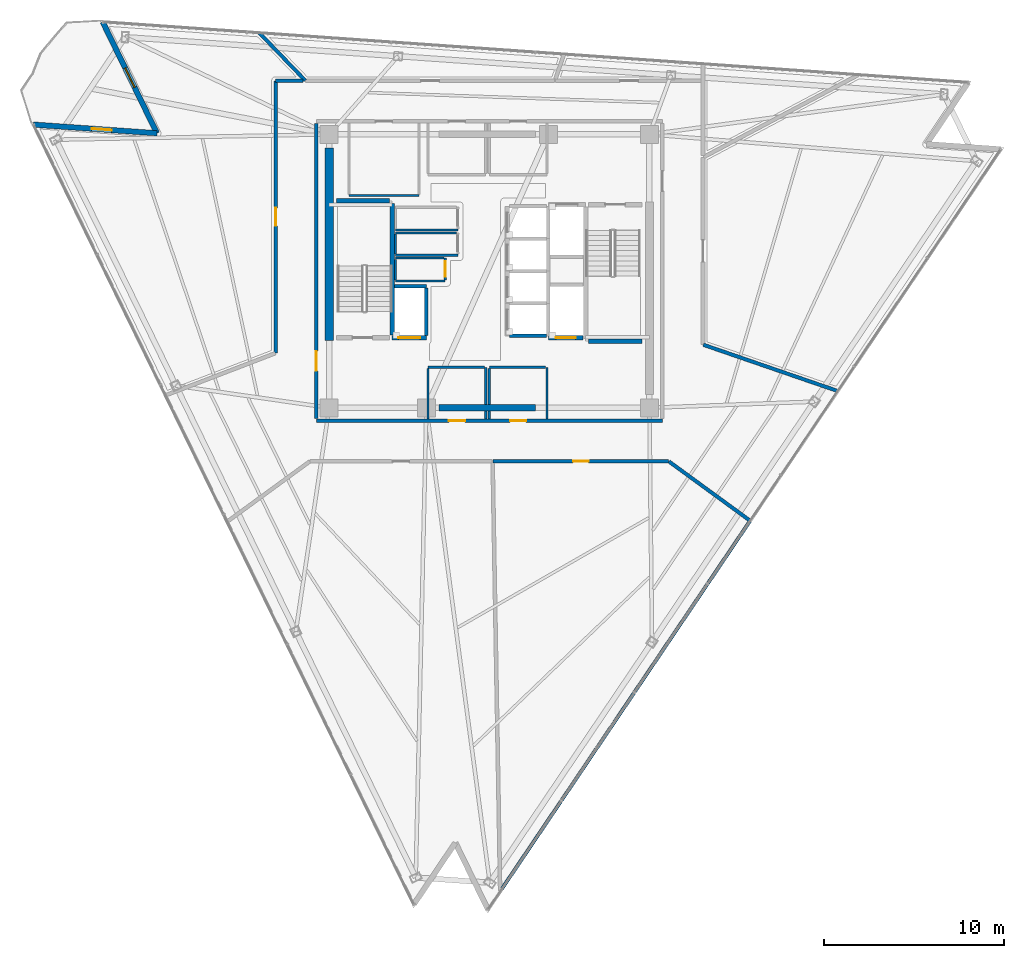
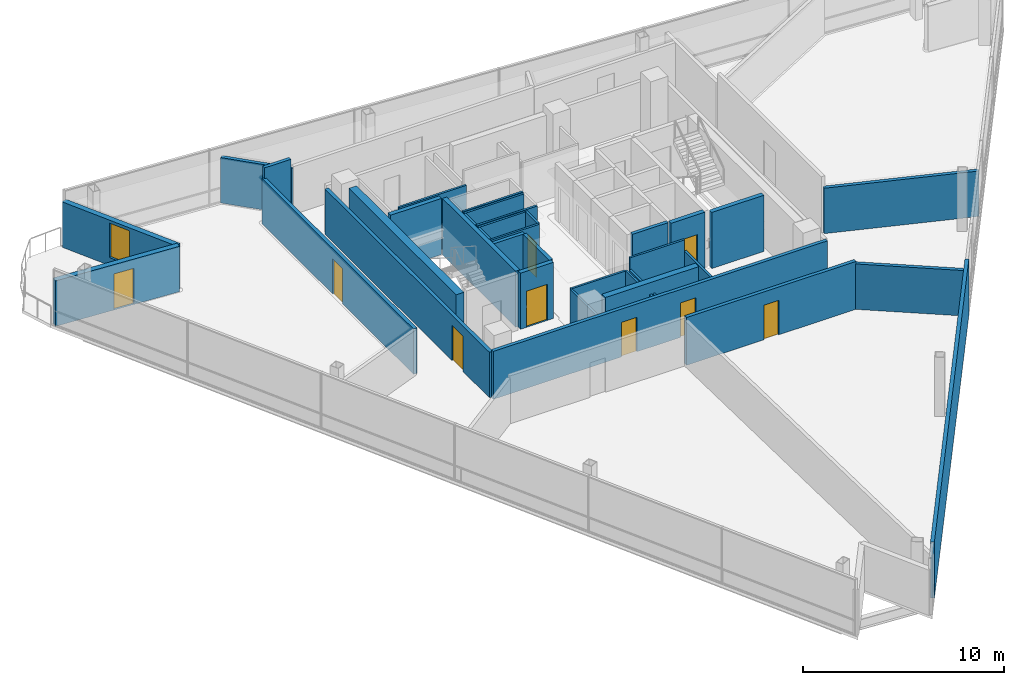
# One storey, part 9 of 14: 38 walls, 9 doors, 1 window, 10 openings.
"""IFC4 building model written with IfcOpenShell, lengths in metres."""

from ifc_helpers import new_model, si_unit, direction, frame, frame_2d, origin, place, context, subcontext, project, spatial, rectangle, extrude, material, layer, layer_set, type_object, element, fill, save


model = new_model("IFC4")

# Units and contexts
model_context = context("Model", 3, precision=1e-05, world=origin(), true_north=direction((0.0, 1.0)))
body_context = subcontext(model_context, "Body", "Model", "MODEL_VIEW")
ifc_project = project(units=[si_unit("LENGTHUNIT", "METRE"), si_unit("AREAUNIT", "SQUARE_METRE"), si_unit("VOLUMEUNIT", "CUBIC_METRE"), si_unit("PLANEANGLEUNIT", "RADIAN"), si_unit("MASSUNIT", "GRAM", prefix="KILO")], contexts=[model_context])

# Site, building, storey
site_placement = place(None, origin())
site = spatial("IfcSite", under=ifc_project, at=site_placement, CompositionType="ELEMENT")
building_placement = place(site_placement, origin())
building = spatial("IfcBuilding", under=site, at=building_placement, Name="Tharavind Bronze Gate", CompositionType="ELEMENT")
storey_placement = place(building_placement, frame((0.0, 0.0, 241.449951171875)))
storey = spatial("IfcBuildingStorey", under=building, at=storey_placement, Name="L62", CompositionType="ELEMENT", Elevation=241.449951171875)

# Wall, opening, window
ifc_material_1 = material(Name="Concrete C40/50", Category="concrete")
ifc_layer_1 = layer(ifc_material_1, 0.300048828125)
ifc_layer_set_1 = layer_set([ifc_layer_1], Name="Concrete C40/50")
wall_type_1 = type_object("IfcWallType", Name="EXTERIOR SPANDREL WALL 300", PredefinedType="STANDARD", material=ifc_layer_set_1)
wall_1_placement = place(storey_placement, frame((-21.489990234375, 13.844482421875, 0.0), z_axis=(0.0, 0.0, 1.0), x_axis=(0.438391471143, -0.898784133165, 0.0)))
wall_1 = element("IfcWall", 1, at=wall_1_placement, inside=storey, type_object=wall_type_1, Name="L62 notch cheek wall 1A", PredefinedType="STANDARD", context=body_context, shape_type="SweptSolid", body=[
    extrude(rectangle(XDim=6.8798828125, YDim=0.300048828125, at=frame_2d((3.43994140625, 0.0))), origin(), (0.0, 0.0, 1.0), 2.76513671875),
])
opening_1_placement = place(wall_1_placement, frame((2.840087890625, 0.0, 0.485107421875)))
opening_1 = element("IfcOpeningElement", 2, at=opening_1_placement, cuts=wall_1, Name="Opening W01", PredefinedType="OPENING", context=body_context, shape_type="SweptSolid", body=[
    extrude(rectangle(XDim=1.199951171875, YDim=2.10009765625, at=frame_2d((0.60009765625, 1.050048828125))), frame((0.0, 0.15990234375, 0.0), z_axis=(0.0, -1.0, 0.0), x_axis=(1.0, 0.0, 0.0)), (0.0, 0.0, 1.0), 0.320048828125),
])
ifc_material_2 = material(Name="Bronze Aluminium & Low-E Glass", Category="aluminium")
window_type = type_object("IfcWindowType", Name="FIXED BRONZE CASEMENT WINDOW 1200X2100", PartitioningType="SINGLE_PANEL", PredefinedType="WINDOW", material=ifc_material_2)
window_placement = place(opening_1_placement, origin())
window = element("IfcWindow", 3, at=window_placement, inside=storey, type_object=window_type, Name="L62 exterior window WL-L62-NCB1-01", OverallHeight=2.10009765625, OverallWidth=1.199951171875, PartitioningType="SINGLE_PANEL", PredefinedType="WINDOW", context=body_context, shape_type="SweptSolid", body=[
    extrude(rectangle(XDim=1.199951171875, YDim=2.10009765625, at=frame_2d((0.60009765625, 1.050048828125))), frame((0.0, 0.030029296875, 0.0), z_axis=(0.0, -1.0, 0.0), x_axis=(1.0, 0.0, 0.0)), (0.0, 0.0, 1.0), 0.06005859375),
])
fill(opening_1, window)

# Wall, opening, door
wall_2_placement = place(storey_placement, frame((-18.473876953125, 7.660888671875, 0.0), z_axis=(0.0, 0.0, 1.0), x_axis=(-0.997565982203, 0.069728840176, 0.0)))
wall_2 = element("IfcWall", 4, at=wall_2_placement, inside=storey, type_object=wall_type_1, Name="L62 notch cheek wall 1B", PredefinedType="STANDARD", context=body_context, shape_type="SweptSolid", body=[
    extrude(rectangle(XDim=6.880126953125, YDim=0.300048828125, at=frame_2d((3.43994140625, 0.0))), origin(), (0.0, 0.0, 1.0), 2.76513671875),
])
opening_2_placement = place(wall_2_placement, frame((2.531982421875, 0.0, 0.0)))
opening_2 = element("IfcOpeningElement", 5, at=opening_2_placement, cuts=wall_2, Name="Opening ED04", PredefinedType="OPENING", context=body_context, shape_type="SweptSolid", body=[
    extrude(rectangle(XDim=1.10009765625, YDim=2.199951171875, at=frame_2d((0.550048828125, 1.10009765625))), frame((0.0, 0.15990234375, 0.0), z_axis=(0.0, -1.0, 0.0), x_axis=(1.0, 0.0, 0.0)), (0.0, 0.0, 1.0), 0.320048828125),
])
ifc_material_3 = material(Name="Bronze Aluminium & Toughened Glass", Category="aluminium")
door_type_1 = type_object("IfcDoorType", Name="TREE BALCONY ACCESS DOOR 1100X2200", OperationType="SINGLE_SWING_LEFT", PredefinedType="DOOR", material=ifc_material_3)
door_1_placement = place(opening_2_placement, origin())
door_1 = element("IfcDoor", 6, at=door_1_placement, inside=storey, type_object=door_type_1, Name="L62 tree balcony access door", OperationType="SINGLE_SWING_LEFT", OverallHeight=2.199951171875, OverallWidth=1.10009765625, PredefinedType="DOOR", context=body_context, shape_type="SweptSolid", body=[
    extrude(rectangle(XDim=1.10009765625, YDim=2.199951171875, at=frame_2d((0.550048828125, 1.10009765625))), frame((0.0, 0.02490234375, 0.0), z_axis=(0.0, -1.0, 0.0), x_axis=(1.0, 0.0, 0.0)), (0.0, 0.0, 1.0), 0.050048828125),
])
fill(opening_2, door_1)

# Wall, openings, doors
ifc_material_4 = material(Name="Aerated Concrete Block", Category="concrete")
ifc_layer_2 = layer(ifc_material_4, 0.199951171875)
ifc_layer_set_2 = layer_set([ifc_layer_2], Name="Aerated Concrete Block")
wall_type_2 = type_object("IfcWallType", Name="FIRE RATED PARTITION 200", PredefinedType="PARTITIONING", material=ifc_layer_set_2)
wall_3_placement = place(storey_placement, frame((-9.6201171875, -8.320068359375, 0.0), z_axis=(0.0, 0.0, 1.0), x_axis=(1.0, 0.0, 0.0)))
wall_3 = element("IfcWall", 7, at=wall_3_placement, inside=storey, type_object=wall_type_2, Name="L62 south core corridor wall", PredefinedType="PARTITIONING", context=body_context, shape_type="SweptSolid", body=[
    extrude(rectangle(XDim=19.240234375, YDim=0.199951171875, at=frame_2d((9.6201171875, 0.0))), origin(), (0.0, 0.0, 1.0), 2.9150390625),
])
opening_3_placement = place(wall_3_placement, frame((7.3701171875, 0.0, 0.0)))
opening_3 = element("IfcOpeningElement", 8, at=opening_3_placement, cuts=wall_3, Name="Opening ID07", PredefinedType="OPENING", context=body_context, shape_type="SweptSolid", body=[
    extrude(rectangle(XDim=0.89990234375, YDim=2.10009765625, at=frame_2d((0.449951171875, 1.050048828125))), frame((0.0, 0.11009765625, 0.0), z_axis=(0.0, -1.0, 0.0), x_axis=(1.0, 0.0, 0.0)), (0.0, 0.0, 1.0), 0.219951171875),
])
opening_4_placement = place(wall_3_placement, frame((10.77001953125, 0.0, 0.0)))
opening_4 = element("IfcOpeningElement", 9, at=opening_4_placement, cuts=wall_3, Name="Opening ID07", PredefinedType="OPENING", context=body_context, shape_type="SweptSolid", body=[
    extrude(rectangle(XDim=0.89990234375, YDim=2.10009765625, at=frame_2d((0.449951171875, 1.050048828125))), frame((0.0, 0.11009765625, 0.0), z_axis=(0.0, -1.0, 0.0), x_axis=(1.0, 0.0, 0.0)), (0.0, 0.0, 1.0), 0.219951171875),
])
ifc_material_5 = material(Name="Galvanised Fire Steel", Category="steel")
door_type_2 = type_object("IfcDoorType", Name="PLANT AND RISER FIRE DOOR 900X2100", OperationType="SINGLE_SWING_LEFT", PredefinedType="DOOR", material=ifc_material_5)
door_2_placement = place(opening_3_placement, frame((0.89990234375, 0.0, 0.0), z_axis=(0.0, 0.0, 1.0), x_axis=(-1.0, 0.0, 0.0)))
door_2 = element("IfcDoor", 10, at=door_2_placement, inside=storey, type_object=door_type_2, Name="L62 Core Archive Store fire door", OperationType="SINGLE_SWING_LEFT", OverallHeight=2.10009765625, OverallWidth=0.89990234375, PredefinedType="DOOR", context=body_context, shape_type="SweptSolid", body=[
    extrude(rectangle(XDim=0.89990234375, YDim=2.10009765625, at=frame_2d((0.449951171875, 1.050048828125))), frame((0.0, 0.02490234375, 0.0), z_axis=(0.0, -1.0, 0.0), x_axis=(1.0, 0.0, 0.0)), (0.0, 0.0, 1.0), 0.050048828125),
])
fill(opening_3, door_2)
door_3_placement = place(opening_4_placement, frame((0.89990234375, 0.0, 0.0), z_axis=(0.0, 0.0, 1.0), x_axis=(-1.0, 0.0, 0.0)))
door_3 = element("IfcDoor", 11, at=door_3_placement, inside=storey, type_object=door_type_2, Name="L62 Core Server Room fire door", OperationType="SINGLE_SWING_LEFT", OverallHeight=2.10009765625, OverallWidth=0.89990234375, PredefinedType="DOOR", context=body_context, shape_type="SweptSolid", body=[
    extrude(rectangle(XDim=0.89990234375, YDim=2.10009765625, at=frame_2d((0.449951171875, 1.050048828125))), frame((0.0, 0.02490234375, 0.0), z_axis=(0.0, -1.0, 0.0), x_axis=(1.0, 0.0, 0.0)), (0.0, 0.0, 1.0), 0.050048828125),
])
fill(opening_4, door_3)

# Wall, opening, door
wall_4_placement = place(storey_placement, frame((-9.6201171875, 8.199951171875, 0.0), z_axis=(0.0, 0.0, 1.0), x_axis=(0.0, -1.0, 0.0)))
wall_4 = element("IfcWall", 12, at=wall_4_placement, inside=storey, type_object=wall_type_2, Name="L62 west core corridor wall", PredefinedType="PARTITIONING", context=body_context, shape_type="SweptSolid", body=[
    extrude(rectangle(XDim=16.39990234375, YDim=0.199951171875, at=frame_2d((8.199951171875, 0.0))), origin(), (0.0, 0.0, 1.0), 2.76513671875),
])
opening_5_placement = place(wall_4_placement, frame((12.64990234375, 0.0, 0.0)))
opening_5 = element("IfcOpeningElement", 13, at=opening_5_placement, cuts=wall_4, Name="Opening ID01", PredefinedType="OPENING", context=body_context, shape_type="SweptSolid", body=[
    extrude(rectangle(XDim=1.10009765625, YDim=2.14990234375, at=frame_2d((0.550048828125, 1.074951171875))), frame((0.0, 0.11009765625, 0.0), z_axis=(0.0, -1.0, 0.0), x_axis=(1.0, 0.0, 0.0)), (0.0, 0.0, 1.0), 0.219951171875),
])
ifc_material_6 = material(Name="Fire-Rated Steel", Category="steel")
door_type_3 = type_object("IfcDoorType", Name="STAIR CORE FIRE DOOR 1100X2150", OperationType="SINGLE_SWING_LEFT", PredefinedType="DOOR", material=ifc_material_6)
door_4_placement = place(opening_5_placement, frame((1.10009765625, 0.0, 0.0), z_axis=(0.0, 0.0, 1.0), x_axis=(-1.0, 0.0, 0.0)))
door_4 = element("IfcDoor", 14, at=door_4_placement, inside=storey, type_object=door_type_3, Name="L62 south west stair lobby fire door", OperationType="SINGLE_SWING_LEFT", OverallHeight=2.14990234375, OverallWidth=1.10009765625, PredefinedType="DOOR", context=body_context, shape_type="SweptSolid", body=[
    extrude(rectangle(XDim=1.10009765625, YDim=2.14990234375, at=frame_2d((0.550048828125, 1.074951171875))), frame((0.0, 0.02490234375, 0.0), z_axis=(0.0, -1.0, 0.0), x_axis=(1.0, 0.0, 0.0)), (0.0, 0.0, 1.0), 0.050048828125),
])
fill(opening_5, door_4)

wall_5_placement = place(storey_placement, frame((0.210205078125, -10.580078125, 0.0), z_axis=(0.0, 0.0, 1.0), x_axis=(1.0, 0.0, 0.0)))
wall_5 = element("IfcWall", 15, at=wall_5_placement, inside=storey, type_object=wall_type_2, Name="L62 Public Restrooms Block partition", PredefinedType="PARTITIONING", context=body_context, shape_type="SweptSolid", body=[
    extrude(rectangle(XDim=9.759765625, YDim=0.199951171875, at=frame_2d((4.8798828125, 0.0))), origin(), (0.0, 0.0, 1.0), 2.9150390625),
])
opening_6_placement = place(wall_5_placement, frame((4.455078125, 0.0, 0.0)))
opening_6 = element("IfcOpeningElement", 16, at=opening_6_placement, cuts=wall_5, Name="Opening ID06", PredefinedType="OPENING", context=body_context, shape_type="SweptSolid", body=[
    extrude(rectangle(XDim=0.85009765625, YDim=2.10009765625, at=frame_2d((0.425048828125, 1.050048828125))), frame((0.0, 0.11009765625, 0.0), z_axis=(0.0, -1.0, 0.0), x_axis=(1.0, 0.0, 0.0)), (0.0, 0.0, 1.0), 0.219951171875),
])
ifc_material_7 = material(Name="Moisture-Resistant Timber", Category="wood")
door_type_4 = type_object("IfcDoorType", Name="BATHROOM PRIVACY DOOR 850X2100", OperationType="SINGLE_SWING_RIGHT", PredefinedType="DOOR", material=ifc_material_7)
door_5_placement = place(opening_6_placement, origin())
door_5 = element("IfcDoor", 17, at=door_5_placement, inside=storey, type_object=door_type_4, Name="L62 Public Restrooms Block door", OperationType="SINGLE_SWING_RIGHT", OverallHeight=2.10009765625, OverallWidth=0.85009765625, PredefinedType="DOOR", context=body_context, shape_type="SweptSolid", body=[
    extrude(rectangle(XDim=0.85009765625, YDim=2.10009765625, at=frame_2d((0.425048828125, 1.050048828125))), frame((0.0, 0.02490234375, 0.0), z_axis=(0.0, -1.0, 0.0), x_axis=(1.0, 0.0, 0.0)), (0.0, 0.0, 1.0), 0.050048828125),
])
fill(opening_6, door_5)

# Walls
wall_6_placement = place(storey_placement, frame((9.98486328125, -10.584716796875, 0.0), z_axis=(0.0, 0.0, 1.0), x_axis=(0.807826909807, -0.589419785714, 0.0)))
element("IfcWall", 18, at=wall_6_placement, inside=storey, type_object=wall_type_2, Name="L62 Public Restrooms Block partition", PredefinedType="PARTITIONING", context=body_context, shape_type="SweptSolid", body=[
    extrude(rectangle(XDim=5.59130859375, YDim=0.199951171875, at=frame_2d((2.795654296875, 0.0))), origin(), (0.0, 0.0, 1.0), 2.76513671875),
])
wall_7_placement = place(storey_placement, frame((14.4912109375, -13.8955078125, 0.0), z_axis=(0.0, 0.0, 1.0), x_axis=(-0.559191528364, -0.829038500074, 0.0)))
element("IfcWall", 19, at=wall_7_placement, inside=storey, type_object=wall_type_2, Name="L62 Public Restrooms Block partition", PredefinedType="PARTITIONING", context=body_context, shape_type="SweptSolid", body=[
    extrude(rectangle(XDim=24.655029296875, YDim=0.199951171875, at=frame_2d((12.32763671875, 0.0))), origin(), (0.0, 0.0, 1.0), 3.420166015625),
])
wall_8_placement = place(storey_placement, frame((-10.224365234375, 10.587646484375, 0.0), z_axis=(0.0, 0.0, 1.0), x_axis=(-0.694663159554, 0.719335175532, 0.0)))
element("IfcWall", 20, at=wall_8_placement, inside=storey, type_object=wall_type_2, Name="L62 Chambers Study A partition", PredefinedType="PARTITIONING", context=body_context, shape_type="SweptSolid", body=[
    extrude(rectangle(XDim=3.68115234375, YDim=0.199951171875, at=frame_2d((1.840576171875, 0.0))), origin(), (0.0, 0.0, 1.0), 2.76513671875),
])
wall_9_placement = place(storey_placement, frame((-10.363037109375, 10.580078125, 0.0), z_axis=(0.0, 0.0, 1.0), x_axis=(-1.0, 0.0, 0.0)))
element("IfcWall", 21, at=wall_9_placement, inside=storey, type_object=wall_type_2, Name="L62 Dispute Resolution Office partition", PredefinedType="PARTITIONING", context=body_context, shape_type="SweptSolid", body=[
    extrude(rectangle(XDim=1.516357421875, YDim=0.199951171875, at=frame_2d((0.75830078125, 0.0))), origin(), (0.0, 0.0, 1.0), 3.420166015625),
])

# Wall, opening, door
wall_10_placement = place(storey_placement, frame((-11.8798828125, 10.579345703125, 0.0), z_axis=(0.0, 0.0, 1.0), x_axis=(0.0, -1.0, 0.0)))
wall_10 = element("IfcWall", 22, at=wall_10_placement, inside=storey, type_object=wall_type_2, Name="L62 Dispute Resolution Office partition", PredefinedType="PARTITIONING", context=body_context, shape_type="SweptSolid", body=[
    extrude(rectangle(XDim=15.12255859375, YDim=0.199951171875, at=frame_2d((7.561279296875, 0.0))), origin(), (0.0, 0.0, 1.0), 2.76513671875),
])
opening_7_placement = place(wall_10_placement, frame((7.06103515625, 0.0, 0.0)))
opening_7 = element("IfcOpeningElement", 23, at=opening_7_placement, cuts=wall_10, Name="Opening ID04", PredefinedType="OPENING", context=body_context, shape_type="SweptSolid", body=[
    extrude(rectangle(XDim=1.0, YDim=2.14990234375, at=frame_2d((0.5, 1.074951171875))), frame((0.0, 0.11009765625, 0.0), z_axis=(0.0, -1.0, 0.0), x_axis=(1.0, 0.0, 0.0)), (0.0, 0.0, 1.0), 0.219951171875),
])
ifc_material_8 = material(Name="Bronze Framed Acoustic Timber", Category="wood")
door_type_5 = type_object("IfcDoorType", Name="OFFICE TENANCY DOOR 1000X2150", OperationType="SINGLE_SWING_RIGHT", PredefinedType="DOOR", material=ifc_material_8)
door_6_placement = place(opening_7_placement, origin())
door_6 = element("IfcDoor", 24, at=door_6_placement, inside=storey, type_object=door_type_5, Name="L62 Dispute Resolution Office door", OperationType="SINGLE_SWING_RIGHT", OverallHeight=2.14990234375, OverallWidth=1.0, PredefinedType="DOOR", context=body_context, shape_type="SweptSolid", body=[
    extrude(rectangle(XDim=1.0, YDim=2.14990234375, at=frame_2d((0.5, 1.074951171875))), frame((0.0, 0.02490234375, 0.0), z_axis=(0.0, -1.0, 0.0), x_axis=(1.0, 0.0, 0.0)), (0.0, 0.0, 1.0), 0.050048828125),
])
fill(opening_7, door_6)

# Walls
wall_11_placement = place(storey_placement, frame((19.347900390625, -6.662109375, 0.0), z_axis=(0.0, 0.0, 1.0), x_axis=(-0.945514135391, 0.325581049472, 0.0)))
element("IfcWall", 25, at=wall_11_placement, inside=storey, type_object=wall_type_2, Name="L62 Mediation Briefing Room partition", PredefinedType="PARTITIONING", context=body_context, shape_type="SweptSolid", body=[
    extrude(rectangle(XDim=7.88037109375, YDim=0.199951171875, at=frame_2d((3.940185546875, 0.0))), origin(), (0.0, 0.0, 1.0), 2.76513671875),
])
ifc_material_9 = material(Name="Metal Stud Gypsum Partition", Category="gypsum")
ifc_layer_3 = layer(ifc_material_9, 0.1201171875)
ifc_layer_set_3 = layer_set([ifc_layer_3], Name="Metal Stud Gypsum Partition")
wall_type_3 = type_object("IfcWallType", Name="INTERIOR PARTITION WALL 120", PredefinedType="PARTITIONING", material=ifc_layer_set_3)
for number, where, z_axis, x_axis, name in (
    (26, (-5.219970703125, 2.280029296875, 0.0), (0.0, 0.0, 1.0), (1.0, 0.0, 0.0), "L62 Housekeeping Linen Store partition 1"),
    (27, (-5.219970703125, 0.8798828125, 0.0), (0.0, 0.0, 1.0), (1.0, 0.0, 0.0), "L62 Comms Data Room partition 1"),
):
    element("IfcWall", number, at=place(storey_placement, frame(where, z_axis=z_axis, x_axis=x_axis)), inside=storey, type_object=wall_type_3, Name=name, PredefinedType="PARTITIONING", context=body_context, shape_type="SweptSolid", body=[
        extrude(rectangle(XDim=3.469970703125, YDim=0.1201171875, at=frame_2d((1.73486328125, 0.0))), origin(), (0.0, 0.0, 1.0), 3.420166015625),
    ])
wall_12_placement = place(storey_placement, frame((-1.81494140625, 2.1201171875, 0.0), z_axis=(0.0, 0.0, 1.0), x_axis=(-1.0, 0.0, 0.0)))
element("IfcWall", 28, at=wall_12_placement, inside=storey, type_object=wall_type_3, Name="L62 Comms Data Room partition 3", PredefinedType="PARTITIONING", context=body_context, shape_type="SweptSolid", body=[
    extrude(rectangle(XDim=3.405029296875, YDim=0.1201171875, at=frame_2d((1.70263671875, 0.0))), origin(), (0.0, 0.0, 1.0), 3.420166015625),
])
wall_13_placement = place(storey_placement, frame((-5.219970703125, 2.054931640625, 0.0), z_axis=(0.0, 0.0, 1.0), x_axis=(0.0, -1.0, 0.0)))
element("IfcWall", 29, at=wall_13_placement, inside=storey, type_object=wall_type_3, Name="L62 Comms Data Room partition 4", PredefinedType="PARTITIONING", context=body_context, shape_type="SweptSolid", body=[
    extrude(rectangle(XDim=1.10986328125, YDim=0.1201171875, at=frame_2d((0.554931640625, 0.0))), origin(), (0.0, 0.0, 1.0), 3.420166015625),
])
wall_14_placement = place(storey_placement, frame((-5.219970703125, -0.550048828125, 0.0), z_axis=(0.0, 0.0, 1.0), x_axis=(1.0, 0.0, 0.0)))
element("IfcWall", 30, at=wall_14_placement, inside=storey, type_object=wall_type_3, Name="L62 Electrical Metering Store partition 1", PredefinedType="PARTITIONING", context=body_context, shape_type="SweptSolid", body=[
    extrude(rectangle(XDim=2.77001953125, YDim=0.1201171875, at=frame_2d((1.385009765625, 0.0))), origin(), (0.0, 0.0, 1.0), 3.420166015625),
])

# Wall, opening, door
wall_15_placement = place(storey_placement, frame((-2.449951171875, -0.485107421875, 0.0), z_axis=(0.0, 0.0, 1.0), x_axis=(0.0, 1.0, 0.0)))
wall_15 = element("IfcWall", 31, at=wall_15_placement, inside=storey, type_object=wall_type_3, Name="L62 Electrical Metering Store partition 2", PredefinedType="PARTITIONING", context=body_context, shape_type="SweptSolid", body=[
    extrude(rectangle(XDim=1.205078125, YDim=0.1201171875, at=frame_2d((0.6025390625, 0.0))), origin(), (0.0, 0.0, 1.0), 3.420166015625),
])
opening_8_placement = place(wall_15_placement, frame((0.177978515625, 0.0, 0.0)))
opening_8 = element("IfcOpeningElement", 32, at=opening_8_placement, cuts=wall_15, Name="Opening ID06", PredefinedType="OPENING", context=body_context, shape_type="SweptSolid", body=[
    extrude(rectangle(XDim=0.85009765625, YDim=2.10009765625, at=frame_2d((0.425048828125, 1.050048828125))), frame((0.0, 0.07005859375, 0.0), z_axis=(0.0, -1.0, 0.0), x_axis=(1.0, 0.0, 0.0)), (0.0, 0.0, 1.0), 0.1401171875),
])
door_7_placement = place(opening_8_placement, frame((0.85009765625, 0.0, 0.0), z_axis=(0.0, 0.0, 1.0), x_axis=(-1.0, 0.0, 0.0)))
door_7 = element("IfcDoor", 33, at=door_7_placement, inside=storey, type_object=door_type_4, Name="L62 Electrical Metering Store door", OperationType="SINGLE_SWING_RIGHT", OverallHeight=2.10009765625, OverallWidth=0.85009765625, PredefinedType="DOOR", context=body_context, shape_type="SweptSolid", body=[
    extrude(rectangle(XDim=0.85009765625, YDim=2.10009765625, at=frame_2d((0.425048828125, 1.050048828125))), frame((0.0, 0.02490234375, 0.0), z_axis=(0.0, -1.0, 0.0), x_axis=(1.0, 0.0, 0.0)), (0.0, 0.0, 1.0), 0.050048828125),
])
fill(opening_8, door_7)

# Walls
wall_16_placement = place(storey_placement, frame((-2.514892578125, 0.719970703125, 0.0), z_axis=(0.0, 0.0, 1.0), x_axis=(-1.0, 0.0, 0.0)))
element("IfcWall", 34, at=wall_16_placement, inside=storey, type_object=wall_type_3, Name="L62 Electrical Metering Store partition 3", PredefinedType="PARTITIONING", context=body_context, shape_type="SweptSolid", body=[
    extrude(rectangle(XDim=2.705078125, YDim=0.1201171875, at=frame_2d((1.3525390625, 0.0))), origin(), (0.0, 0.0, 1.0), 3.420166015625),
])
wall_17_placement = place(storey_placement, frame((-5.219970703125, 0.655029296875, 0.0), z_axis=(0.0, 0.0, 1.0), x_axis=(0.0, -1.0, 0.0)))
element("IfcWall", 35, at=wall_17_placement, inside=storey, type_object=wall_type_3, Name="L62 Electrical Metering Store partition 4", PredefinedType="PARTITIONING", context=body_context, shape_type="SweptSolid", body=[
    extrude(rectangle(XDim=1.14013671875, YDim=0.1201171875, at=frame_2d((0.570068359375, 0.0))), origin(), (0.0, 0.0, 1.0), 3.420166015625),
])
wall_18_placement = place(storey_placement, frame((-0.199951171875, -8.215087890625, 0.0), z_axis=(0.0, 0.0, 1.0), x_axis=(0.0, 1.0, 0.0)))
element("IfcWall", 36, at=wall_18_placement, inside=storey, type_object=wall_type_3, Name="L62 Core Archive Store partition 2", PredefinedType="PARTITIONING", context=body_context, shape_type="SweptSolid", body=[
    extrude(rectangle(XDim=0.43505859375, YDim=0.1201171875, at=frame_2d((0.217529296875, 0.0))), origin(), (0.0, 0.0, 1.0), 2.715087890625),
])
wall_19_placement = place(storey_placement, frame((-0.199951171875, -7.419921875, 0.0), z_axis=(0.0, 0.0, 1.0), x_axis=(0.0, 1.0, 0.0)))
element("IfcWall", 37, at=wall_19_placement, inside=storey, type_object=wall_type_3, Name="L62 Core Archive Store partition 2", PredefinedType="PARTITIONING", context=body_context, shape_type="SweptSolid", body=[
    extrude(rectangle(XDim=2.06982421875, YDim=0.1201171875, at=frame_2d((1.034912109375, 0.0))), origin(), (0.0, 0.0, 1.0), 2.715087890625),
])
wall_20_placement = place(storey_placement, frame((-0.264892578125, -5.35009765625, 0.0), z_axis=(0.0, 0.0, 1.0), x_axis=(-1.0, 0.0, 0.0)))
element("IfcWall", 38, at=wall_20_placement, inside=storey, type_object=wall_type_3, Name="L62 Core Archive Store partition 3", PredefinedType="PARTITIONING", context=body_context, shape_type="SweptSolid", body=[
    extrude(rectangle(XDim=3.135009765625, YDim=0.1201171875, at=frame_2d((1.5673828125, 0.0))), origin(), (0.0, 0.0, 1.0), 2.715087890625),
])
wall_21_placement = place(storey_placement, frame((-3.39990234375, -5.4150390625, 0.0), z_axis=(0.0, 0.0, 1.0), x_axis=(0.0, -1.0, 0.0)))
element("IfcWall", 39, at=wall_21_placement, inside=storey, type_object=wall_type_3, Name="L62 Core Archive Store partition 4", PredefinedType="PARTITIONING", context=body_context, shape_type="SweptSolid", body=[
    extrude(rectangle(XDim=2.800048828125, YDim=0.1201171875, at=frame_2d((1.39990234375, 0.0))), origin(), (0.0, 0.0, 1.0), 2.715087890625),
])
wall_22_placement = place(storey_placement, frame((3.199951171875, -8.215087890625, 0.0), z_axis=(0.0, 0.0, 1.0), x_axis=(0.0, 1.0, 0.0)))
element("IfcWall", 40, at=wall_22_placement, inside=storey, type_object=wall_type_3, Name="L62 Core Server Room partition 2", PredefinedType="PARTITIONING", context=body_context, shape_type="SweptSolid", body=[
    extrude(rectangle(XDim=2.864990234375, YDim=0.1201171875, at=frame_2d((1.4326171875, 0.0))), origin(), (0.0, 0.0, 1.0), 2.715087890625),
])
wall_23_placement = place(storey_placement, frame((3.135009765625, -5.35009765625, 0.0), z_axis=(0.0, 0.0, 1.0), x_axis=(-1.0, 0.0, 0.0)))
element("IfcWall", 41, at=wall_23_placement, inside=storey, type_object=wall_type_3, Name="L62 Core Server Room partition 3", PredefinedType="PARTITIONING", context=body_context, shape_type="SweptSolid", body=[
    extrude(rectangle(XDim=3.135009765625, YDim=0.1201171875, at=frame_2d((1.5673828125, 0.0))), origin(), (0.0, 0.0, 1.0), 3.420166015625),
])
wall_24_placement = place(storey_placement, frame((0.0, -5.4150390625, 0.0), z_axis=(0.0, 0.0, 1.0), x_axis=(0.0, -1.0, 0.0)))
element("IfcWall", 42, at=wall_24_placement, inside=storey, type_object=wall_type_3, Name="L62 Core Server Room partition 4", PredefinedType="PARTITIONING", context=body_context, shape_type="SweptSolid", body=[
    extrude(rectangle(XDim=2.0048828125, YDim=0.1201171875, at=frame_2d((1.00244140625, 0.0))), origin(), (0.0, 0.0, 1.0), 2.715087890625),
])
wall_25_placement = place(storey_placement, frame((0.0, -7.780029296875, 0.0), z_axis=(0.0, 0.0, 1.0), x_axis=(0.0, -1.0, 0.0)))
element("IfcWall", 43, at=wall_25_placement, inside=storey, type_object=wall_type_3, Name="L62 Core Server Room partition 4", PredefinedType="PARTITIONING", context=body_context, shape_type="SweptSolid", body=[
    extrude(rectangle(XDim=0.43505859375, YDim=0.1201171875, at=frame_2d((0.217529296875, 0.0))), origin(), (0.0, 0.0, 1.0), 2.715087890625),
])
wall_26_placement = place(storey_placement, frame((-7.800048828125, 4.199951171875, 0.0), z_axis=(0.0, 0.0, 1.0), x_axis=(1.0, 0.0, 0.0)))
element("IfcWall", 44, at=wall_26_placement, inside=storey, type_object=wall_type_3, Name="L62 Electrical Switch Room partition 1", PredefinedType="PARTITIONING", context=body_context, shape_type="SweptSolid", body=[
    extrude(rectangle(XDim=3.900146484375, YDim=0.1201171875, at=frame_2d((1.9501953125, 0.0))), origin(), (0.0, 0.0, 1.0), 3.420166015625),
])
ifc_material_10 = material(Name="Concrete C50/60", Category="concrete")
ifc_layer_4 = layer(ifc_material_10, 0.25)
ifc_layer_set_4 = layer_set([ifc_layer_4], Name="Concrete C50/60")
wall_type_4 = type_object("IfcWallType", Name="RC CORE SHEAR WALL 250", PredefinedType="SHEAR", material=ifc_layer_set_4)
wall_27_placement = place(storey_placement, frame((-5.39990234375, -3.550048828125, 0.0), z_axis=(0.0, 0.0, 1.0), x_axis=(0.0, 1.0, 0.0)))
element("IfcWall", 45, at=wall_27_placement, inside=storey, type_object=wall_type_4, Name="L62 ST1 shaft east wall", PredefinedType="SHEAR", context=body_context, shape_type="SweptSolid", body=[
    extrude(rectangle(XDim=7.300048828125, YDim=0.25, at=frame_2d((3.64990234375, 0.0))), origin(), (0.0, 0.0, 1.0), 3.420166015625),
])
wall_28_placement = place(storey_placement, frame((-8.5, 3.89990234375, 0.0), z_axis=(0.0, 0.0, 1.0), x_axis=(1.0, 0.0, 0.0)))
element("IfcWall", 46, at=wall_28_placement, inside=storey, type_object=wall_type_4, Name="L62 ST1 shaft north wall", PredefinedType="SHEAR", context=body_context, shape_type="SweptSolid", body=[
    extrude(rectangle(XDim=2.949951171875, YDim=0.25, at=frame_2d((1.47509765625, 0.0))), origin(), (0.0, 0.0, 1.0), 3.420166015625),
])
wall_29_placement = place(storey_placement, frame((5.5, -3.89990234375, 0.0), z_axis=(0.0, 0.0, 1.0), x_axis=(1.0, 0.0, 0.0)))
element("IfcWall", 47, at=wall_29_placement, inside=storey, type_object=wall_type_4, Name="L62 ST2 shaft south wall", PredefinedType="SHEAR", context=body_context, shape_type="SweptSolid", body=[
    extrude(rectangle(XDim=3.0, YDim=0.25, at=frame_2d((1.5, 0.0))), origin(), (0.0, 0.0, 1.0), 3.420166015625),
])

# Wall, opening, door
wall_30_placement = place(storey_placement, frame((-5.39990234375, -3.699951171875, 0.0), z_axis=(0.0, 0.0, 1.0), x_axis=(1.0, 0.0, 0.0)))
wall_30 = element("IfcWall", 48, at=wall_30_placement, inside=storey, type_object=wall_type_4, Name="L62 lift FFL1 shaft front wall", PredefinedType="SHEAR", context=body_context, shape_type="SweptSolid", body=[
    extrude(rectangle(XDim=1.89990234375, YDim=0.25, at=frame_2d((0.949951171875, 0.0))), origin(), (0.0, 0.0, 1.0), 3.420166015625),
])
opening_9_placement = place(wall_30_placement, frame((0.35009765625, 0.0, 0.0)))
opening_9 = element("IfcOpeningElement", 49, at=opening_9_placement, cuts=wall_30, Name="Opening LD02", PredefinedType="OPENING", context=body_context, shape_type="SweptSolid", body=[
    extrude(rectangle(XDim=1.199951171875, YDim=2.199951171875, at=frame_2d((0.60009765625, 1.10009765625))), frame((0.0, 0.135, 0.0), z_axis=(0.0, -1.0, 0.0), x_axis=(1.0, 0.0, 0.0)), (0.0, 0.0, 1.0), 0.27),
])
ifc_material_11 = material(Name="Brushed Stainless Steel", Category="steel")
door_type_6 = type_object("IfcDoorType", Name="FIREFIGHTING LIFT LANDING DOOR 1200X2200", OperationType="SLIDING_TO_RIGHT", PredefinedType="DOOR", material=ifc_material_11)
door_8_placement = place(opening_9_placement, origin())
door_8 = element("IfcDoor", 50, at=door_8_placement, inside=storey, type_object=door_type_6, Name="L62 lift FFL1 sliding landing door", OperationType="SLIDING_TO_RIGHT", OverallHeight=2.199951171875, OverallWidth=1.199951171875, PredefinedType="DOOR", context=body_context, shape_type="SweptSolid", body=[
    extrude(rectangle(XDim=1.199951171875, YDim=2.199951171875, at=frame_2d((0.60009765625, 1.10009765625))), frame((0.0, 0.02490234375, 0.0), z_axis=(0.0, -1.0, 0.0), x_axis=(1.0, 0.0, 0.0)), (0.0, 0.0, 1.0), 0.050048828125),
])
fill(opening_9, door_8)

wall_31_placement = place(storey_placement, frame((3.280029296875, -3.699951171875, 0.0), z_axis=(0.0, 0.0, 1.0), x_axis=(1.0, 0.0, 0.0)))
wall_31 = element("IfcWall", 51, at=wall_31_placement, inside=storey, type_object=wall_type_4, Name="L62 lift SVL1 shaft front wall", PredefinedType="SHEAR", context=body_context, shape_type="SweptSolid", body=[
    extrude(rectangle(XDim=1.93994140625, YDim=0.25, at=frame_2d((0.969970703125, 0.0))), origin(), (0.0, 0.0, 1.0), 3.420166015625),
])
opening_10_placement = place(wall_31_placement, frame((0.419921875, 0.0, 0.0)))
opening_10 = element("IfcOpeningElement", 52, at=opening_10_placement, cuts=wall_31, Name="Opening LD01", PredefinedType="OPENING", context=body_context, shape_type="SweptSolid", body=[
    extrude(rectangle(XDim=1.10009765625, YDim=2.199951171875, at=frame_2d((0.550048828125, 1.10009765625))), frame((0.0, 0.135, 0.0), z_axis=(0.0, -1.0, 0.0), x_axis=(1.0, 0.0, 0.0)), (0.0, 0.0, 1.0), 0.27),
])
ifc_material_12 = material(Name="Brushed Bronze Stainless Steel", Category="steel")
door_type_7 = type_object("IfcDoorType", Name="LIFT LANDING SLIDING DOOR 1100X2200", OperationType="SLIDING_TO_LEFT", PredefinedType="DOOR", material=ifc_material_12)
door_9_placement = place(opening_10_placement, origin())
door_9 = element("IfcDoor", 53, at=door_9_placement, inside=storey, type_object=door_type_7, Name="L62 lift SVL1 sliding landing door", OperationType="SLIDING_TO_LEFT", OverallHeight=2.199951171875, OverallWidth=1.10009765625, PredefinedType="DOOR", context=body_context, shape_type="SweptSolid", body=[
    extrude(rectangle(XDim=1.10009765625, YDim=2.199951171875, at=frame_2d((0.550048828125, 1.10009765625))), frame((0.0, 0.02490234375, 0.0), z_axis=(0.0, -1.0, 0.0), x_axis=(1.0, 0.0, 0.0)), (0.0, 0.0, 1.0), 0.050048828125),
])
fill(opening_10, door_9)

# Walls
ifc_layer_5 = layer(ifc_material_10, 0.35009765625)
ifc_layer_set_5 = layer_set([ifc_layer_5], Name="Concrete C50/60")
wall_type_5 = type_object("IfcWallType", Name="RC CORE SHEAR WALL 350", PredefinedType="SHEAR", material=ifc_layer_set_5)
wall_32_placement = place(storey_placement, frame((-2.800048828125, -7.60009765625, 0.0), z_axis=(0.0, 0.0, 1.0), x_axis=(1.0, 0.0, 0.0)))
element("IfcWall", 54, at=wall_32_placement, inside=storey, type_object=wall_type_5, Name="L62 south core shear wall", PredefinedType="SHEAR", context=body_context, shape_type="SweptSolid", body=[
    extrude(rectangle(XDim=5.380126953125, YDim=0.35009765625, at=frame_2d((2.68994140625, 0.0))), origin(), (0.0, 0.0, 1.0), 3.420166015625),
])
ifc_material_13 = material(Name="Concrete C60/75", Category="concrete")
ifc_layer_6 = layer(ifc_material_13, 0.449951171875)
ifc_layer_set_6 = layer_set([ifc_layer_6], Name="Concrete C60/75")
wall_type_6 = type_object("IfcWallType", Name="RC CORE SHEAR WALL 450", PredefinedType="SHEAR", material=ifc_layer_set_6)
wall_33_placement = place(storey_placement, frame((-8.89990234375, -3.85009765625, 0.0), z_axis=(0.0, 0.0, 1.0), x_axis=(0.0, 1.0, 0.0)))
element("IfcWall", 55, at=wall_33_placement, inside=storey, type_object=wall_type_6, Name="L62 west core shear wall", PredefinedType="SHEAR", context=body_context, shape_type="SweptSolid", body=[
    extrude(rectangle(XDim=10.7001953125, YDim=0.449951171875, at=frame_2d((5.35009765625, 0.0))), origin(), (0.0, 0.0, 1.0), 3.420166015625),
])
ifc_layer_7 = layer(ifc_material_1, 0.199951171875)
ifc_layer_set_7 = layer_set([ifc_layer_7], Name="Concrete C40/50")
wall_type_7 = type_object("IfcWallType", Name="SHAFT ENCLOSURE WALL 200", PredefinedType="PARTITIONING", material=ifc_layer_set_7)
wall_34_placement = place(storey_placement, frame((1.1298828125, -3.60009765625, 0.0), z_axis=(0.0, 0.0, 1.0), x_axis=(1.0, 0.0, 0.0)))
element("IfcWall", 56, at=wall_34_placement, inside=storey, type_object=wall_type_7, Name="L62 lift PL9 shaft S enclosure wall", PredefinedType="PARTITIONING", context=body_context, shape_type="SweptSolid", body=[
    extrude(rectangle(XDim=2.045166015625, YDim=0.199951171875, at=frame_2d((1.0224609375, 0.0))), origin(), (0.0, 0.0, 1.0), 3.420166015625),
])
wall_35_placement = place(storey_placement, frame((-5.27001953125, -0.85009765625, 0.0), z_axis=(0.0, 0.0, 1.0), x_axis=(1.0, 0.0, 0.0)))
element("IfcWall", 57, at=wall_35_placement, inside=storey, type_object=wall_type_7, Name="L62 lift FFL1 shaft N enclosure wall", PredefinedType="PARTITIONING", context=body_context, shape_type="SweptSolid", body=[
    extrude(rectangle(XDim=1.77001953125, YDim=0.199951171875, at=frame_2d((0.885009765625, 0.0))), origin(), (0.0, 0.0, 1.0), 3.420166015625),
])
wall_36_placement = place(storey_placement, frame((-3.5, -3.570068359375, 0.0), z_axis=(0.0, 0.0, 1.0), x_axis=(0.0, 1.0, 0.0)))
element("IfcWall", 58, at=wall_36_placement, inside=storey, type_object=wall_type_7, Name="L62 lift FFL1 shaft E enclosure wall", PredefinedType="PARTITIONING", context=body_context, shape_type="SweptSolid", body=[
    extrude(rectangle(XDim=2.614990234375, YDim=0.199951171875, at=frame_2d((1.3076171875, 0.0))), origin(), (0.0, 0.0, 1.0), 3.420166015625),
])

save(model, "model.ifc")
